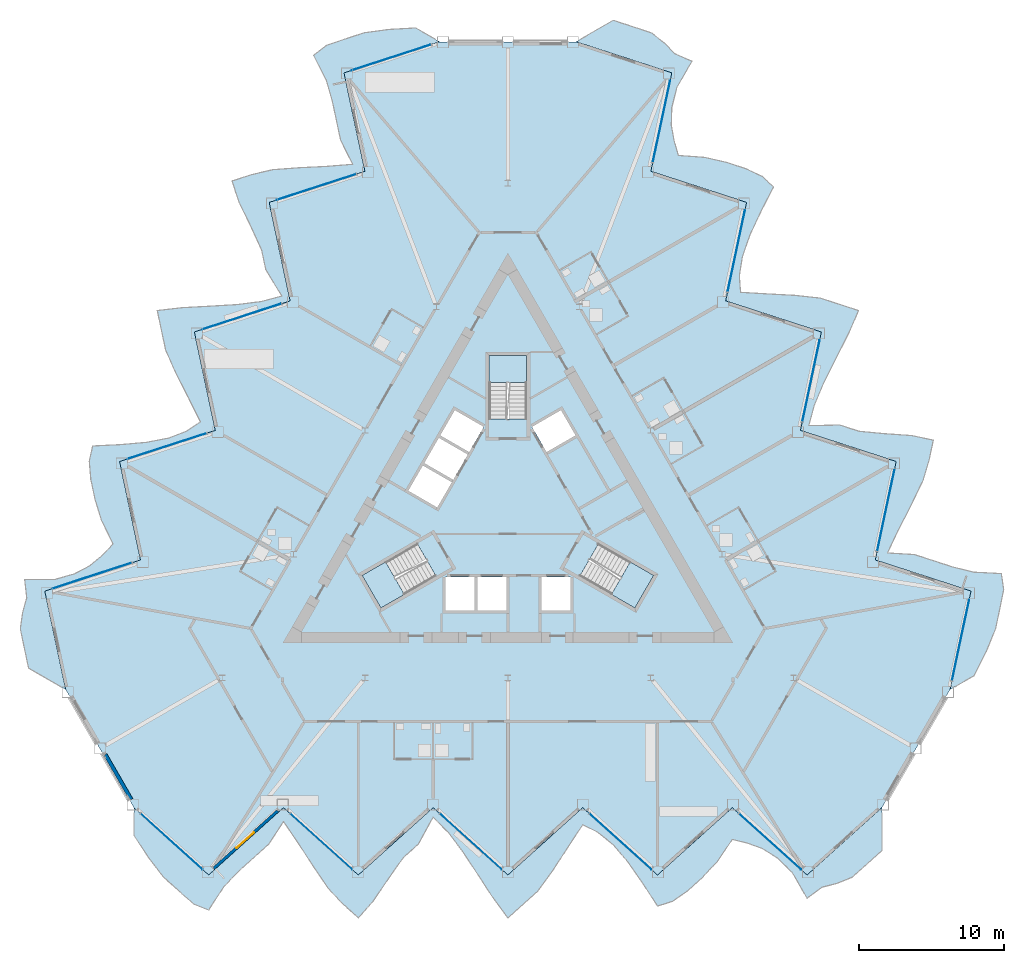
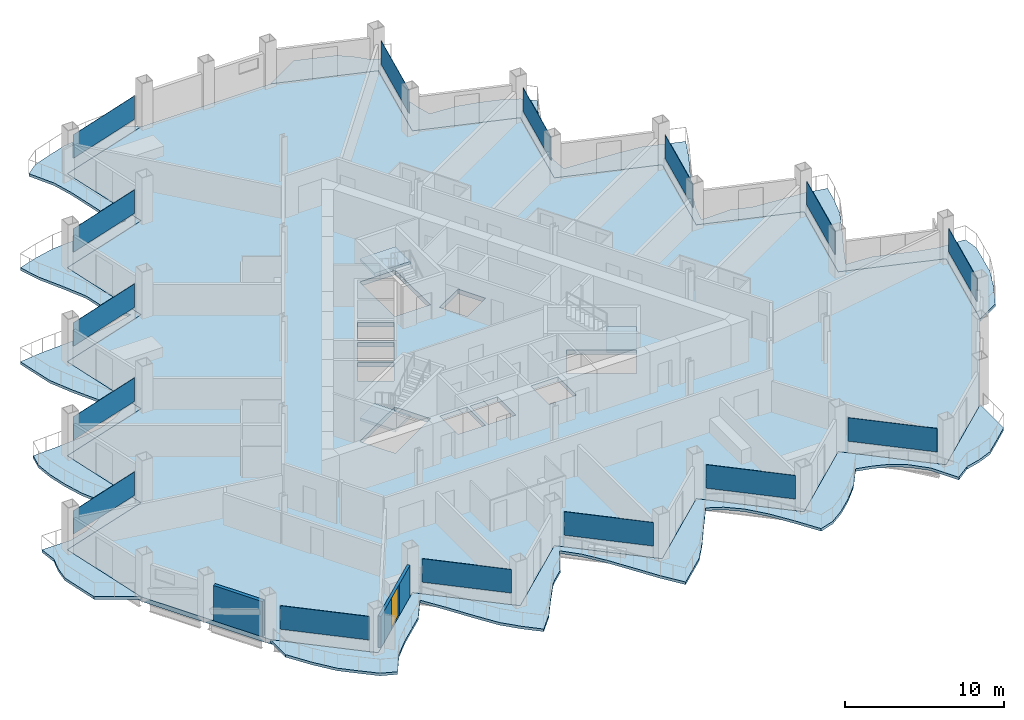
# One storey, part 10 of 24: 15 plates, 7 slabs, 2 walls, 1 door, 1 opening, 18 elements without a shape of their own.
"""IFC4 building model written with IfcOpenShell, lengths in metres."""

from ifc_helpers import new_model, si_unit, direction, frame, frame_2d, origin, origin_2d, place, context, subcontext, project, spatial, polyline, rectangle, outline, extrude, material, layer, layer_set, type_object, element, fill, aggregate, save


model = new_model("IFC4")

# Units and contexts
model_context = context("Model", 3, precision=1e-05, world=origin(), true_north=direction((0.0, 1.0)))
body_context = subcontext(model_context, "Body", "Model", "MODEL_VIEW")
ifc_project = project(units=[si_unit("LENGTHUNIT", "METRE"), si_unit("AREAUNIT", "SQUARE_METRE"), si_unit("VOLUMEUNIT", "CUBIC_METRE"), si_unit("PLANEANGLEUNIT", "RADIAN"), si_unit("MASSUNIT", "GRAM", prefix="KILO")], contexts=[model_context])

# Site, building, storey
site_placement = place(None, origin())
site = spatial("IfcSite", under=ifc_project, at=site_placement, CompositionType="ELEMENT")
building_placement = place(site_placement, origin())
building = spatial("IfcBuilding", under=site, at=building_placement, Name="Cormorant Prow Tower", CompositionType="ELEMENT")
storey_placement = place(building_placement, frame((0.0, 0.0, 205.199951171875)))
storey = spatial("IfcBuildingStorey", under=building, at=storey_placement, Name="L45", CompositionType="ELEMENT", Elevation=205.199951171875)

# Slabs
ifc_material_1 = material(Name="Concrete C40/50", Category="concrete")
ifc_layer_1 = layer(ifc_material_1, 0.199951171875)
ifc_layer_set_1 = layer_set([ifc_layer_1], Name="Concrete C40/50")
slab_type_1 = type_object("IfcSlabType", Name="Balcony slab 200", PredefinedType="FLOOR", material=ifc_layer_set_1)
slab_1_placement = place(storey_placement, frame((0.0, 0.0, -0.199951171875)))
element("IfcSlab", 1, at=slab_1_placement, inside=storey, type_object=slab_type_1, Name="Balcony slab S L45", PredefinedType="FLOOR", context=body_context, shape_type="SweptSolid", body=[
    extrude(outline(polyline([(-25.740234375, -20.280029296875), (-25.740234375, -22.179931640625), (-24.71044921875, -23.754150390625), (-23.680908203125, -25.084228515625), (-22.6513671875, -26.01123046875), (-21.621826171875, -26.916015625), (-20.592041015625, -27.326416015625), (-19.5625, -25.735107421875), (-18.532958984375, -24.6611328125), (-17.50341796875, -23.734130859375), (-16.4736328125, -22.80712890625), (-15.444091796875, -21.2470703125), (-14.41455078125, -22.73974609375), (-13.384765625, -24.338134765625), (-12.355224609375, -25.848876953125), (-11.32568359375, -26.938232421875), (-10.296142578125, -27.865234375), (-9.266357421875, -26.712158203125), (-8.23681640625, -25.179443359375), (-7.207275390625, -23.734130859375), (-6.177734375, -22.80712890625), (-5.14794921875, -20.938232421875), (-4.118408203125, -21.970947265625), (-3.0888671875, -23.331787109375), (-2.059326171875, -24.8955078125), (-1.029541015625, -26.47802734375), (0.0, -27.865234375), (1.029541015625, -26.938232421875), (2.059326171875, -26.01123046875), (3.0888671875, -24.604736328125), (4.118408203125, -23.01953125), (5.14794921875, -21.459716796875), (6.177734375, -21.9619140625), (7.207275390625, -22.794921875), (8.23681640625, -23.98583984375), (9.266357421875, -25.45849609375), (10.296142578125, -27.05517578125), (11.32568359375, -26.728515625), (12.355224609375, -26.01123046875), (13.384765625, -25.084228515625), (14.41455078125, -23.979248046875), (15.444091796875, -22.462890625), (16.4736328125, -22.71875), (17.50341796875, -23.0869140625), (18.532958984375, -23.728515625), (19.5625, -24.72607421875), (20.592041015625, -26.515380859375), (21.621826171875, -25.7568359375), (22.6513671875, -25.4921875), (23.680908203125, -25.07421875), (24.71044921875, -24.156982421875), (25.740234375, -23.22998046875), (25.740234375, -20.280029296875), (24.71044921875, -21.20703125), (23.680908203125, -22.13427734375), (22.6513671875, -23.061279296875), (21.621826171875, -23.98828125), (20.592041015625, -24.915283203125), (19.5625, -23.98828125), (18.532958984375, -23.061279296875), (17.50341796875, -22.13427734375), (16.4736328125, -21.20703125), (15.444091796875, -20.280029296875), (14.41455078125, -21.20703125), (13.384765625, -22.13427734375), (12.355224609375, -23.061279296875), (11.32568359375, -23.98828125), (10.296142578125, -24.915283203125), (9.266357421875, -23.98828125), (8.23681640625, -23.061279296875), (7.207275390625, -22.13427734375), (6.177734375, -21.20703125), (5.14794921875, -20.280029296875), (4.118408203125, -21.20703125), (3.0888671875, -22.13427734375), (2.059326171875, -23.061279296875), (1.029541015625, -23.98828125), (0.0, -24.915283203125), (-1.029541015625, -23.98828125), (-2.059326171875, -23.061279296875), (-3.0888671875, -22.13427734375), (-4.118408203125, -21.20703125), (-5.14794921875, -20.280029296875), (-6.177734375, -21.20703125), (-7.207275390625, -22.13427734375), (-8.23681640625, -23.061279296875), (-9.266357421875, -23.98828125), (-10.296142578125, -24.915283203125), (-11.32568359375, -23.98828125), (-12.355224609375, -23.061279296875), (-13.384765625, -22.13427734375), (-14.41455078125, -21.20703125), (-15.444091796875, -20.280029296875), (-16.4736328125, -21.20703125), (-17.50341796875, -22.13427734375), (-18.532958984375, -23.061279296875), (-19.5625, -23.98828125), (-20.592041015625, -24.915283203125), (-21.621826171875, -23.98828125), (-22.6513671875, -23.061279296875), (-23.680908203125, -22.13427734375), (-24.71044921875, -21.20703125), (-25.740234375, -20.280029296875)])), origin(), (0.0, 0.0, 1.0), 0.199951171875),
])
slab_2_placement = place(storey_placement, frame((0.0, 0.0, -0.199951171875)))
element("IfcSlab", 2, at=slab_2_placement, inside=storey, type_object=slab_type_1, Name="Balcony slab ENE L45", PredefinedType="FLOOR", context=body_context, shape_type="SweptSolid", body=[
    extrude(outline(polyline([(30.43310546875, -12.151611328125), (32.07861328125, -11.20166015625), (32.927001953125, -9.52294921875), (33.56396484375, -7.96630859375), (33.85205078125, -6.611083984375), (34.120849609375, -5.266845703125), (33.96142578125, -4.170166015625), (32.068603515625, -4.073974609375), (30.623779296875, -3.71923828125), (29.30615234375, -3.291259765625), (27.98828125, -2.863037109375), (26.12255859375, -2.75146484375), (26.900390625, -1.113525390625), (27.77001953125, 0.577392578125), (28.5634765625, 2.224609375), (28.9921875, 3.660888671875), (29.280029296875, 5.01611328125), (27.7666015625, 5.3310546875), (25.924560546875, 5.45654296875), (24.157958984375, 5.62548828125), (22.84033203125, 6.053466796875), (20.70703125, 6.0107421875), (21.08642578125, 7.418701171875), (21.750244140625, 8.990966796875), (22.589599609375, 10.664306640625), (23.445556640625, 12.347412109375), (24.132080078125, 13.9326171875), (22.814453125, 14.36083984375), (21.496826171875, 14.788818359375), (19.763916015625, 14.977294921875), (17.876220703125, 15.076416015625), (16.010498046875, 15.188232421875), (15.9306640625, 16.3310546875), (16.137451171875, 17.63916015625), (16.654052734375, 19.126220703125), (17.414306640625, 20.754150390625), (18.282470703125, 22.444091796875), (17.484619140625, 23.172607421875), (16.3486328125, 23.70556640625), (15.031005859375, 24.1337890625), (13.5595703125, 24.472900390625), (11.7314453125, 24.6064453125), (11.438232421875, 25.6259765625), (11.2421875, 26.70166015625), (11.283203125, 27.914306640625), (11.63232421875, 29.3046875), (12.6669921875, 31.091064453125), (11.4951171875, 31.603271484375), (10.751220703125, 32.36279296875), (9.87451171875, 33.04541015625), (8.5654296875, 33.478515625), (7.247802734375, 33.90673828125), (4.69287109375, 32.431640625), (6.010498046875, 32.00341796875), (7.328369140625, 31.575439453125), (8.64599609375, 31.147216796875), (9.963623046875, 30.718994140625), (11.28125, 30.291015625), (10.9931640625, 28.935791015625), (10.705078125, 27.58056640625), (10.4169921875, 26.225341796875), (10.129150390625, 24.8701171875), (9.841064453125, 23.514892578125), (11.15869140625, 23.0869140625), (12.476318359375, 22.65869140625), (13.7939453125, 22.23046875), (15.111572265625, 21.802490234375), (16.42919921875, 21.374267578125), (16.141357421875, 20.01904296875), (15.853271484375, 18.663818359375), (15.565185546875, 17.308837890625), (15.277099609375, 15.95361328125), (14.989013671875, 14.598388671875), (16.306640625, 14.170166015625), (17.624267578125, 13.7421875), (18.94189453125, 13.31396484375), (20.259765625, 12.8857421875), (21.577392578125, 12.457763671875), (21.289306640625, 11.1025390625), (21.001220703125, 9.747314453125), (20.713134765625, 8.39208984375), (20.425048828125, 7.036865234375), (20.136962890625, 5.681640625), (21.45458984375, 5.253662109375), (22.7724609375, 4.825439453125), (24.090087890625, 4.397216796875), (25.40771484375, 3.96923828125), (26.725341796875, 3.541015625), (26.437255859375, 2.185791015625), (26.149169921875, 0.83056640625), (25.861083984375, -0.524658203125), (25.5732421875, -1.879638671875), (25.28515625, -3.23486328125), (26.602783203125, -3.6630859375), (27.92041015625, -4.09130859375), (29.238037109375, -4.519287109375), (30.5556640625, -4.947509765625), (31.873291015625, -5.375732421875), (31.585205078125, -6.730712890625), (31.29736328125, -8.0859375), (31.00927734375, -9.441162109375), (30.72119140625, -10.79638671875), (30.43310546875, -12.151611328125)])), origin(), (0.0, 0.0, 1.0), 0.199951171875),
])
slab_3_placement = place(storey_placement, frame((0.0, 0.0, -0.199951171875)))
element("IfcSlab", 3, at=slab_3_placement, inside=storey, type_object=slab_type_1, Name="Balcony slab WNW L45", PredefinedType="FLOOR", context=body_context, shape_type="SweptSolid", body=[
    extrude(outline(polyline([(-4.69287109375, 32.431640625), (-6.33837890625, 33.381591796875), (-8.21630859375, 33.277099609375), (-9.883056640625, 33.05029296875), (-11.20068359375, 32.622314453125), (-12.4990234375, 32.18310546875), (-13.369384765625, 31.49658203125), (-12.506103515625, 29.80908203125), (-12.0908203125, 28.380615234375), (-11.802734375, 27.025390625), (-11.5146484375, 25.670166015625), (-10.678466796875, 23.99853515625), (-12.48583984375, 23.85302734375), (-14.385009765625, 23.7607421875), (-16.208251953125, 23.62451171875), (-17.66650390625, 23.27734375), (-18.984130859375, 22.849365234375), (-18.500244140625, 21.381103515625), (-17.687744140625, 19.72314453125), (-16.95068359375, 18.108642578125), (-16.66259765625, 16.75341796875), (-15.55908203125, 14.927490234375), (-16.968017578125, 14.552001953125), (-18.661376953125, 14.3408203125), (-20.530517578125, 14.23095703125), (-22.416015625, 14.130615234375), (-24.132080078125, 13.9326171875), (-23.843994140625, 12.577392578125), (-23.555908203125, 11.22216796875), (-22.8525390625, 9.627197265625), (-21.99462890625, 7.943115234375), (-21.15869140625, 6.271484375), (-22.1083984375, 5.631103515625), (-23.3447265625, 5.15576171875), (-24.890869140625, 4.859619140625), (-26.680908203125, 4.7041015625), (-28.578369140625, 4.61083984375), (-28.810302734375, 3.555908203125), (-28.7041015625, 2.3056640625), (-28.416015625, 0.950439453125), (-27.973876953125, -0.49365234375), (-27.175537109375, -2.1435546875), (-27.911865234375, -2.9072265625), (-28.74560546875, -3.61474609375), (-29.81591796875, -4.185791015625), (-31.19482421875, -4.57861328125), (-33.259033203125, -4.57568359375), (-33.116943359375, -5.846435546875), (-33.402587890625, -6.87060546875), (-33.555419921875, -7.97119140625), (-33.27587890625, -9.3212890625), (-32.98779296875, -10.676513671875), (-30.43310546875, -12.151611328125), (-30.72119140625, -10.79638671875), (-31.00927734375, -9.441162109375), (-31.29736328125, -8.0859375), (-31.585205078125, -6.730712890625), (-31.873291015625, -5.375732421875), (-30.5556640625, -4.947509765625), (-29.238037109375, -4.519287109375), (-27.92041015625, -4.09130859375), (-26.602783203125, -3.6630859375), (-25.28515625, -3.23486328125), (-25.5732421875, -1.879638671875), (-25.861083984375, -0.524658203125), (-26.149169921875, 0.83056640625), (-26.437255859375, 2.185791015625), (-26.725341796875, 3.541015625), (-25.40771484375, 3.96923828125), (-24.090087890625, 4.397216796875), (-22.7724609375, 4.825439453125), (-21.45458984375, 5.253662109375), (-20.136962890625, 5.681640625), (-20.425048828125, 7.036865234375), (-20.713134765625, 8.39208984375), (-21.001220703125, 9.747314453125), (-21.289306640625, 11.1025390625), (-21.577392578125, 12.457763671875), (-20.259765625, 12.8857421875), (-18.94189453125, 13.31396484375), (-17.624267578125, 13.7421875), (-16.306640625, 14.170166015625), (-14.989013671875, 14.598388671875), (-15.277099609375, 15.95361328125), (-15.565185546875, 17.308837890625), (-15.853271484375, 18.663818359375), (-16.141357421875, 20.01904296875), (-16.42919921875, 21.374267578125), (-15.111572265625, 21.802490234375), (-13.7939453125, 22.23046875), (-12.476318359375, 22.65869140625), (-11.15869140625, 23.0869140625), (-9.841064453125, 23.514892578125), (-10.129150390625, 24.8701171875), (-10.4169921875, 26.225341796875), (-10.705078125, 27.58056640625), (-10.9931640625, 28.935791015625), (-11.28125, 30.291015625), (-9.963623046875, 30.718994140625), (-8.64599609375, 31.147216796875), (-7.328369140625, 31.575439453125), (-6.010498046875, 32.00341796875), (-4.69287109375, 32.431640625)])), origin(), (0.0, 0.0, 1.0), 0.199951171875),
])

# Curtain wall, plate
ifc_material_2 = material(Name="Aluminium 6063-T6", Category="aluminium")
ifc_layer_2 = layer(ifc_material_2, 0.179931640625)
ifc_layer_set_2 = layer_set([ifc_layer_2], Name="Aluminium 6063-T6")
curtain_wall_type = type_object("IfcCurtainWallType", Name="Hotel unitised curtain wall 180", PredefinedType="NOTDEFINED", material=ifc_layer_set_2)
curtain_wall_1_placement = place(storey_placement, origin())
curtain_wall_1 = element("IfcCurtainWall", 4, at=curtain_wall_1_placement, inside=storey, type_object=curtain_wall_type, Name="Hotel curtain wall S00", PredefinedType="NOTDEFINED")
ifc_material_3 = material(Name="Clear glass", Category="glass")
ifc_layer_3 = layer(ifc_material_3, 0.028076171875)
ifc_layer_set_3 = layer_set([ifc_layer_3], Name="Clear glass")
plate_type = type_object("IfcPlateType", Name="Hotel glass panel 28", PredefinedType="CURTAIN_PANEL", material=ifc_layer_set_3)
plate_1_placement = place(storey_placement, frame((-23.143798828125, -22.61767578125, 0.900146484375), z_axis=(0.0, 0.0, 1.0), x_axis=(0.743144770308, -0.669130667631, 0.0)))
plate_1 = element("IfcPlate", 5, at=plate_1_placement, type_object=plate_type, Name="Hotel glass panel S00", PredefinedType="CURTAIN_PANEL", context=body_context, shape_type="SweptSolid", body=[
    extrude(rectangle(XDim=5.7314453125, YDim=0.028076171875, at=origin_2d()), origin(), (0.0, 0.0, 1.0), 1.80078125),
])
aggregate(curtain_wall_1, [plate_1])

curtain_wall_2_placement = place(storey_placement, origin())
curtain_wall_2 = element("IfcCurtainWall", 6, at=curtain_wall_2_placement, inside=storey, type_object=curtain_wall_type, Name="Hotel curtain wall S02", PredefinedType="NOTDEFINED")
plate_2_placement = place(storey_placement, frame((-12.84765625, -22.61767578125, 0.900146484375), z_axis=(0.0, 0.0, 1.0), x_axis=(0.743144770308, -0.669130667631, 0.0)))
plate_2 = element("IfcPlate", 7, at=plate_2_placement, type_object=plate_type, Name="Hotel glass panel S02", PredefinedType="CURTAIN_PANEL", context=body_context, shape_type="SweptSolid", body=[
    extrude(rectangle(XDim=5.7314453125, YDim=0.028076171875, at=origin_2d()), origin(), (0.0, 0.0, 1.0), 1.80078125),
])
aggregate(curtain_wall_2, [plate_2])

curtain_wall_3_placement = place(storey_placement, origin())
curtain_wall_3 = element("IfcCurtainWall", 8, at=curtain_wall_3_placement, inside=storey, type_object=curtain_wall_type, Name="Hotel curtain wall S04", PredefinedType="NOTDEFINED")
plate_3_placement = place(storey_placement, frame((-2.5517578125, -22.61767578125, 0.900146484375), z_axis=(0.0, 0.0, 1.0), x_axis=(0.743144770308, -0.669130667631, 0.0)))
plate_3 = element("IfcPlate", 9, at=plate_3_placement, type_object=plate_type, Name="Hotel glass panel S04", PredefinedType="CURTAIN_PANEL", context=body_context, shape_type="SweptSolid", body=[
    extrude(rectangle(XDim=5.7314453125, YDim=0.028076171875, at=origin_2d()), origin(), (0.0, 0.0, 1.0), 1.80078125),
])
aggregate(curtain_wall_3, [plate_3])

curtain_wall_4_placement = place(storey_placement, origin())
curtain_wall_4 = element("IfcCurtainWall", 10, at=curtain_wall_4_placement, inside=storey, type_object=curtain_wall_type, Name="Hotel curtain wall S06", PredefinedType="NOTDEFINED")
plate_4_placement = place(storey_placement, frame((7.744384765625, -22.61767578125, 0.900146484375), z_axis=(0.0, 0.0, 1.0), x_axis=(0.743144834937, -0.669130595853, 0.0)))
plate_4 = element("IfcPlate", 11, at=plate_4_placement, type_object=plate_type, Name="Hotel glass panel S06", PredefinedType="CURTAIN_PANEL", context=body_context, shape_type="SweptSolid", body=[
    extrude(rectangle(XDim=5.7314453125, YDim=0.028076171875, at=origin_2d()), origin(), (0.0, 0.0, 1.0), 1.80078125),
])
aggregate(curtain_wall_4, [plate_4])

curtain_wall_5_placement = place(storey_placement, origin())
curtain_wall_5 = element("IfcCurtainWall", 12, at=curtain_wall_5_placement, inside=storey, type_object=curtain_wall_type, Name="Hotel curtain wall S08", PredefinedType="NOTDEFINED")
plate_5_placement = place(storey_placement, frame((18.040283203125, -22.61767578125, 0.900146484375), z_axis=(0.0, 0.0, 1.0), x_axis=(0.743144770308, -0.669130667631, 0.0)))
plate_5 = element("IfcPlate", 13, at=plate_5_placement, type_object=plate_type, Name="Hotel glass panel S08", PredefinedType="CURTAIN_PANEL", context=body_context, shape_type="SweptSolid", body=[
    extrude(rectangle(XDim=5.7314453125, YDim=0.028076171875, at=origin_2d()), origin(), (0.0, 0.0, 1.0), 1.80078125),
])
aggregate(curtain_wall_5, [plate_5])

curtain_wall_6_placement = place(storey_placement, origin())
curtain_wall_6 = element("IfcCurtainWall", 14, at=curtain_wall_6_placement, inside=storey, type_object=curtain_wall_type, Name="Hotel curtain wall ENE00", PredefinedType="NOTDEFINED")
plate_6_placement = place(storey_placement, frame((31.159423828125, -8.734375, 0.900146484375), z_axis=(0.0, 0.0, 1.0), x_axis=(0.207911668641, 0.978147605448, 0.0)))
plate_6 = element("IfcPlate", 15, at=plate_6_placement, type_object=plate_type, Name="Hotel glass panel ENE00", PredefinedType="CURTAIN_PANEL", context=body_context, shape_type="SweptSolid", body=[
    extrude(rectangle(XDim=5.7314453125, YDim=0.028076171875, at=origin_2d()), origin(), (0.0, 0.0, 1.0), 1.80078125),
])
aggregate(curtain_wall_6, [plate_6])

curtain_wall_7_placement = place(storey_placement, origin())
curtain_wall_7 = element("IfcCurtainWall", 16, at=curtain_wall_7_placement, inside=storey, type_object=curtain_wall_type, Name="Hotel curtain wall ENE02", PredefinedType="NOTDEFINED")
plate_7_placement = place(storey_placement, frame((26.011474609375, 0.182373046875, 0.900146484375), z_axis=(0.0, 0.0, 1.0), x_axis=(0.207911668641, 0.978147605448, 0.0)))
plate_7 = element("IfcPlate", 17, at=plate_7_placement, type_object=plate_type, Name="Hotel glass panel ENE02", PredefinedType="CURTAIN_PANEL", context=body_context, shape_type="SweptSolid", body=[
    extrude(rectangle(XDim=5.7314453125, YDim=0.028076171875, at=origin_2d()), origin(), (0.0, 0.0, 1.0), 1.80078125),
])
aggregate(curtain_wall_7, [plate_7])

curtain_wall_8_placement = place(storey_placement, origin())
curtain_wall_8 = element("IfcCurtainWall", 18, at=curtain_wall_8_placement, inside=storey, type_object=curtain_wall_type, Name="Hotel curtain wall ENE04", PredefinedType="NOTDEFINED")
plate_8_placement = place(storey_placement, frame((20.863525390625, 9.09912109375, 0.900146484375), z_axis=(0.0, 0.0, 1.0), x_axis=(0.20791180677, 0.978147576087, 0.0)))
plate_8 = element("IfcPlate", 19, at=plate_8_placement, type_object=plate_type, Name="Hotel glass panel ENE04", PredefinedType="CURTAIN_PANEL", context=body_context, shape_type="SweptSolid", body=[
    extrude(rectangle(XDim=5.7314453125, YDim=0.028076171875, at=origin_2d()), origin(), (0.0, 0.0, 1.0), 1.80078125),
])
aggregate(curtain_wall_8, [plate_8])

curtain_wall_9_placement = place(storey_placement, origin())
curtain_wall_9 = element("IfcCurtainWall", 20, at=curtain_wall_9_placement, inside=storey, type_object=curtain_wall_type, Name="Hotel curtain wall ENE06", PredefinedType="NOTDEFINED")
plate_9_placement = place(storey_placement, frame((15.71533203125, 18.015625, 0.900146484375), z_axis=(0.0, 0.0, 1.0), x_axis=(0.207911668641, 0.978147605448, 0.0)))
plate_9 = element("IfcPlate", 21, at=plate_9_placement, type_object=plate_type, Name="Hotel glass panel ENE06", PredefinedType="CURTAIN_PANEL", context=body_context, shape_type="SweptSolid", body=[
    extrude(rectangle(XDim=5.7314453125, YDim=0.028076171875, at=origin_2d()), origin(), (0.0, 0.0, 1.0), 1.80078125),
])
aggregate(curtain_wall_9, [plate_9])

curtain_wall_10_placement = place(storey_placement, origin())
curtain_wall_10 = element("IfcCurtainWall", 22, at=curtain_wall_10_placement, inside=storey, type_object=curtain_wall_type, Name="Hotel curtain wall ENE08", PredefinedType="NOTDEFINED")
plate_10_placement = place(storey_placement, frame((10.5673828125, 26.932373046875, 0.900146484375), z_axis=(0.0, 0.0, 1.0), x_axis=(0.207911668641, 0.978147605448, 0.0)))
plate_10 = element("IfcPlate", 23, at=plate_10_placement, type_object=plate_type, Name="Hotel glass panel ENE08", PredefinedType="CURTAIN_PANEL", context=body_context, shape_type="SweptSolid", body=[
    extrude(rectangle(XDim=5.7314453125, YDim=0.028076171875, at=origin_2d()), origin(), (0.0, 0.0, 1.0), 1.80078125),
])
aggregate(curtain_wall_10, [plate_10])

curtain_wall_11_placement = place(storey_placement, origin())
curtain_wall_11 = element("IfcCurtainWall", 24, at=curtain_wall_11_placement, inside=storey, type_object=curtain_wall_type, Name="Hotel curtain wall WNW00", PredefinedType="NOTDEFINED")
plate_11_placement = place(storey_placement, frame((-8.015625, 31.35205078125, 0.900146484375), z_axis=(0.0, 0.0, 1.0), x_axis=(-0.95105649017, -0.309017074781, 0.0)))
plate_11 = element("IfcPlate", 25, at=plate_11_placement, type_object=plate_type, Name="Hotel glass panel WNW00", PredefinedType="CURTAIN_PANEL", context=body_context, shape_type="SweptSolid", body=[
    extrude(rectangle(XDim=5.7314453125, YDim=0.028076171875, at=origin_2d()), origin(), (0.0, 0.0, 1.0), 1.80078125),
])
aggregate(curtain_wall_11, [plate_11])

curtain_wall_12_placement = place(storey_placement, origin())
curtain_wall_12 = element("IfcCurtainWall", 26, at=curtain_wall_12_placement, inside=storey, type_object=curtain_wall_type, Name="Hotel curtain wall WNW02", PredefinedType="NOTDEFINED")
plate_12_placement = place(storey_placement, frame((-13.16357421875, 22.435302734375, 0.900146484375), z_axis=(0.0, 0.0, 1.0), x_axis=(-0.95105649017, -0.309017074781, 0.0)))
plate_12 = element("IfcPlate", 27, at=plate_12_placement, type_object=plate_type, Name="Hotel glass panel WNW02", PredefinedType="CURTAIN_PANEL", context=body_context, shape_type="SweptSolid", body=[
    extrude(rectangle(XDim=5.7314453125, YDim=0.028076171875, at=origin_2d()), origin(), (0.0, 0.0, 1.0), 1.80078125),
])
aggregate(curtain_wall_12, [plate_12])

curtain_wall_13_placement = place(storey_placement, origin())
curtain_wall_13 = element("IfcCurtainWall", 28, at=curtain_wall_13_placement, inside=storey, type_object=curtain_wall_type, Name="Hotel curtain wall WNW04", PredefinedType="NOTDEFINED")
plate_13_placement = place(storey_placement, frame((-18.311767578125, 13.518798828125, 0.900146484375), z_axis=(0.0, 0.0, 1.0), x_axis=(-0.951056546379, -0.309016901785, 0.0)))
plate_13 = element("IfcPlate", 29, at=plate_13_placement, type_object=plate_type, Name="Hotel glass panel WNW04", PredefinedType="CURTAIN_PANEL", context=body_context, shape_type="SweptSolid", body=[
    extrude(rectangle(XDim=5.7314453125, YDim=0.028076171875, at=origin_2d()), origin(), (0.0, 0.0, 1.0), 1.80078125),
])
aggregate(curtain_wall_13, [plate_13])

curtain_wall_14_placement = place(storey_placement, origin())
curtain_wall_14 = element("IfcCurtainWall", 30, at=curtain_wall_14_placement, inside=storey, type_object=curtain_wall_type, Name="Hotel curtain wall WNW06", PredefinedType="NOTDEFINED")
plate_14_placement = place(storey_placement, frame((-23.459716796875, 4.60205078125, 0.900146484375), z_axis=(0.0, 0.0, 1.0), x_axis=(-0.951056503955, -0.309017032354, 0.0)))
plate_14 = element("IfcPlate", 31, at=plate_14_placement, type_object=plate_type, Name="Hotel glass panel WNW06", PredefinedType="CURTAIN_PANEL", context=body_context, shape_type="SweptSolid", body=[
    extrude(rectangle(XDim=5.7314453125, YDim=0.028076171875, at=origin_2d()), origin(), (0.0, 0.0, 1.0), 1.80078125),
])
aggregate(curtain_wall_14, [plate_14])

curtain_wall_15_placement = place(storey_placement, origin())
curtain_wall_15 = element("IfcCurtainWall", 32, at=curtain_wall_15_placement, inside=storey, type_object=curtain_wall_type, Name="Hotel curtain wall WNW08", PredefinedType="NOTDEFINED")
plate_15_placement = place(storey_placement, frame((-28.607666015625, -4.314453125, 0.900146484375), z_axis=(0.0, 0.0, 1.0), x_axis=(-0.951056532594, -0.309016944213, 0.0)))
plate_15 = element("IfcPlate", 33, at=plate_15_placement, type_object=plate_type, Name="Hotel glass panel WNW08", PredefinedType="CURTAIN_PANEL", context=body_context, shape_type="SweptSolid", body=[
    extrude(rectangle(XDim=5.7314453125, YDim=0.028076171875, at=origin_2d()), origin(), (0.0, 0.0, 1.0), 1.80078125),
])
aggregate(curtain_wall_15, [plate_15])

# Slab
ifc_material_4 = material(Name="Concrete C40/50", Category="concrete")
ifc_layer_4 = layer(ifc_material_4, 0.35009765625)
ifc_layer_set_4 = layer_set([ifc_layer_4], Name="Concrete C40/50")
slab_type_2 = type_object("IfcSlabType", Name="Post-tensioned flat slab 350", PredefinedType="FLOOR", material=ifc_layer_set_4)
slab_4_placement = place(storey_placement, frame((0.0, 0.0, -0.349853515625)))
element("IfcSlab", 34, at=slab_4_placement, inside=storey, type_object=slab_type_2, Name="Floor slab L45", PredefinedType="FLOOR", context=body_context, shape_type="SweptSolid", body=[
    extrude(outline(polyline([(-9.841064453125, 23.514892578125), (-16.42919921875, 21.374267578125), (-14.989013671875, 14.598388671875), (-21.577392578125, 12.457763671875), (-20.136962890625, 5.681640625), (-26.725341796875, 3.541015625), (-25.28515625, -3.23486328125), (-31.873291015625, -5.375732421875), (-30.43310546875, -12.151611328125), (-28.086669921875, -16.2158203125), (-25.740234375, -20.280029296875), (-20.592041015625, -24.915283203125), (-15.444091796875, -20.280029296875), (-10.296142578125, -24.915283203125), (-5.14794921875, -20.280029296875), (0.0, -24.915283203125), (5.14794921875, -20.280029296875), (10.296142578125, -24.915283203125), (15.444091796875, -20.280029296875), (20.592041015625, -24.915283203125), (25.740234375, -20.280029296875), (28.086669921875, -16.2158203125), (30.43310546875, -12.151611328125), (31.873291015625, -5.375732421875), (25.28515625, -3.23486328125), (26.725341796875, 3.541015625), (20.136962890625, 5.681640625), (21.577392578125, 12.457763671875), (14.989013671875, 14.598388671875), (16.42919921875, 21.374267578125), (9.841064453125, 23.514892578125), (11.28125, 30.291015625), (4.69287109375, 32.431640625), (0.0, 32.431640625), (-4.69287109375, 32.431640625), (-11.28125, 30.291015625), (-9.841064453125, 23.514892578125)]), holes=[polyline([(-4.300048828125, -4.39990234375), (-2.300048828125, -4.39990234375), (-2.300048828125, -6.699951171875), (-4.300048828125, -6.699951171875), (-4.300048828125, -4.39990234375)]), polyline([(-0.10009765625, -4.39990234375), (-0.10009765625, -6.699951171875), (-2.10009765625, -6.699951171875), (-2.10009765625, -4.39990234375), (-0.10009765625, -4.39990234375)]), polyline([(4.300048828125, -6.699951171875), (2.300048828125, -6.699951171875), (2.300048828125, -4.39990234375), (4.300048828125, -4.39990234375), (4.300048828125, -6.699951171875)]), polyline([(4.65234375, 5.341796875), (2.660400390625, 4.19189453125), (1.660400390625, 5.923828125), (3.65234375, 7.073974609375), (4.65234375, 5.341796875)]), polyline([(-1.660400390625, 5.923828125), (-2.660400390625, 4.19189453125), (-4.65234375, 5.341796875), (-3.65234375, 7.073974609375), (-1.660400390625, 5.923828125)]), polyline([(-3.760498046875, 2.28662109375), (-5.75244140625, 3.4365234375), (-4.75244140625, 5.168701171875), (-2.760498046875, 4.018798828125), (-3.760498046875, 2.28662109375)]), polyline([(-6.852294921875, 1.53125), (-5.852294921875, 3.263427734375), (-3.860595703125, 2.11328125), (-4.860595703125, 0.38134765625), (-6.852294921875, 1.53125)]), polyline([(-4.947509765625, -4.3505859375), (-8.738037109375, -6.5390625), (-10.031982421875, -4.2978515625), (-6.241455078125, -2.109375), (-4.947509765625, -4.3505859375)]), polyline([(10.031982421875, -4.2978515625), (8.738037109375, -6.5390625), (4.947509765625, -4.3505859375), (6.241455078125, -2.109375), (10.031982421875, -4.2978515625)]), polyline([(1.2939453125, 10.8369140625), (1.2939453125, 6.459716796875), (-1.2939453125, 6.459716796875), (-1.2939453125, 10.8369140625), (1.2939453125, 10.8369140625)])]), origin(), (0.0, 0.0, 1.0), 0.349853515625),
])

# Stair, slab
ifc_material_5 = material(Name="Exit stair 20 risers")
stair_type = type_object("IfcStairType", Name="Exit stair 20 risers", PredefinedType="HALF_TURN_STAIR", material=ifc_material_5)
stair_1_placement = place(storey_placement, origin())
stair_1 = element("IfcStair", 35, at=stair_1_placement, inside=storey, type_object=stair_type, Name="L45 Exit stair ST1", PredefinedType="HALF_TURN_STAIR")
ifc_material_6 = material(Name="Concrete 5000 psi", Category="concrete")
ifc_layer_5 = layer(ifc_material_6, 0.199951171875)
ifc_layer_set_5 = layer_set([ifc_layer_5], Name="Concrete 5000 psi")
slab_type_3 = type_object("IfcSlabType", Name="Stair landing 200", PredefinedType="LANDING", material=ifc_layer_set_5)
slab_5_placement = place(storey_placement, frame((0.0, 0.0, 1.60009765625)))
slab_5 = element("IfcSlab", 36, at=slab_5_placement, type_object=slab_type_3, Name="ST1 landing 1", PredefinedType="LANDING", context=body_context, shape_type="SweptSolid", body=[
    extrude(outline(polyline([(-8.416748046875, -3.365234375), (-10.031982421875, -4.2978515625), (-8.738037109375, -6.5390625), (-7.122802734375, -5.6064453125), (-8.416748046875, -3.365234375)])), origin(), (0.0, 0.0, 1.0), 0.199951171875),
])
aggregate(stair_1, [slab_5])

stair_2_placement = place(storey_placement, origin())
stair_2 = element("IfcStair", 37, at=stair_2_placement, inside=storey, type_object=stair_type, Name="L45 Exit stair ST2", PredefinedType="HALF_TURN_STAIR")
slab_6_placement = place(storey_placement, frame((0.0, 0.0, 1.60009765625)))
slab_6 = element("IfcSlab", 38, at=slab_6_placement, type_object=slab_type_3, Name="ST2 landing 1", PredefinedType="LANDING", context=body_context, shape_type="SweptSolid", body=[
    extrude(outline(polyline([(7.122802734375, -5.6064453125), (8.738037109375, -6.5390625), (10.031982421875, -4.2978515625), (8.416748046875, -3.365234375), (7.122802734375, -5.6064453125)])), origin(), (0.0, 0.0, 1.0), 0.199951171875),
])
aggregate(stair_2, [slab_6])

stair_3_placement = place(storey_placement, origin())
stair_3 = element("IfcStair", 39, at=stair_3_placement, inside=storey, type_object=stair_type, Name="L45 Exit stair ST3", PredefinedType="HALF_TURN_STAIR")
slab_7_placement = place(storey_placement, frame((0.0, 0.0, 1.60009765625)))
slab_7 = element("IfcSlab", 40, at=slab_7_placement, type_object=slab_type_3, Name="ST3 landing 1", PredefinedType="LANDING", context=body_context, shape_type="SweptSolid", body=[
    extrude(outline(polyline([(1.2939453125, 8.971923828125), (1.2939453125, 10.8369140625), (-1.2939453125, 10.8369140625), (-1.2939453125, 8.971923828125), (1.2939453125, 8.971923828125)])), origin(), (0.0, 0.0, 1.0), 0.199951171875),
])
aggregate(stair_3, [slab_7])

# Wall
ifc_material_7 = material(Name="Terracotta", Category="masonry")
ifc_layer_6 = layer(ifc_material_7, 0.25)
ifc_layer_set_6 = layer_set([ifc_layer_6], Name="Terracotta")
wall_type_1 = type_object("IfcWallType", Name="Terracotta bay wall 250", PredefinedType="SOLIDWALL", material=ifc_layer_set_6)
wall_1_placement = place(storey_placement, frame((-27.706298828125, -16.624755859375, 0.0), z_axis=(0.0, 0.0, 1.0), x_axis=(0.500054932303, -0.865993686281, 0.0)))
element("IfcWall", 41, at=wall_1_placement, inside=storey, type_object=wall_type_1, Name="Terracotta bay wall WSW01", PredefinedType="SOLIDWALL", context=body_context, shape_type="SweptSolid", body=[
    extrude(rectangle(XDim=3.58056640625, YDim=0.25, at=frame_2d((1.790283203125, 0.0))), origin(), (0.0, 0.0, 1.0), 2.700927734375),
])

# Wall, opening, door
ifc_material_8 = material(Name="Terracotta", Category="masonry")
ifc_layer_7 = layer(ifc_material_8, 0.199951171875)
ifc_layer_set_7 = layer_set([ifc_layer_7], Name="Terracotta")
wall_type_2 = type_object("IfcWallType", Name="Terracotta jamb wall 200", PredefinedType="SOLIDWALL", material=ifc_layer_set_7)
wall_2_placement = place(storey_placement, frame((-20.23681640625, -24.4609375, 0.0), z_axis=(0.0, 0.0, 1.0), x_axis=(0.743136116571, 0.669140278452, 0.0)))
wall_2 = element("IfcWall", 42, at=wall_2_placement, inside=storey, type_object=wall_type_2, Name="Terracotta jamb wall S01", PredefinedType="SOLIDWALL", context=body_context, shape_type="SweptSolid", body=[
    extrude(rectangle(XDim=5.915771484375, YDim=0.199951171875, at=frame_2d((2.9580078125, 0.0))), origin(), (0.0, 0.0, 1.0), 2.404296875),
])
opening_placement = place(wall_2_placement, frame((2.095703125, 0.0, 0.0)))
opening = element("IfcOpeningElement", 43, at=opening_placement, cuts=wall_2, Name="Opening ED45.01", PredefinedType="OPENING", context=body_context, shape_type="SweptSolid", body=[
    extrude(rectangle(XDim=1.60009765625, YDim=2.39990234375, at=frame_2d((0.800048828125, 1.199951171875))), frame((0.0, 0.10986328125, 0.0), z_axis=(0.0, -1.0, 0.0), x_axis=(1.0, 0.0, 0.0)), (0.0, 0.0, 1.0), 0.219970703125),
])
ifc_material_9 = material(Name="Aluminium 6063-T6", Category="aluminium")
door_type = type_object("IfcDoorType", Name="Balcony door 1600x2400", OperationType="DOUBLE_DOOR_SINGLE_SWING", PredefinedType="DOOR", material=ifc_material_9)
door_placement = place(opening_placement, origin())
door = element("IfcDoor", 44, at=door_placement, inside=storey, type_object=door_type, Name="Balcony door S01 ED45.01", OperationType="DOUBLE_DOOR_SINGLE_SWING", OverallHeight=2.39990234375, OverallWidth=1.60009765625, PredefinedType="DOOR", context=body_context, shape_type="SweptSolid", body=[
    extrude(rectangle(XDim=1.60009765625, YDim=2.39990234375, at=frame_2d((0.800048828125, 1.199951171875))), frame((0.0, 0.02490234375, 0.0), z_axis=(0.0, -1.0, 0.0), x_axis=(1.0, 0.0, 0.0)), (0.0, 0.0, 1.0), 0.050048828125),
])
fill(opening, door)

save(model, "model.ifc")
